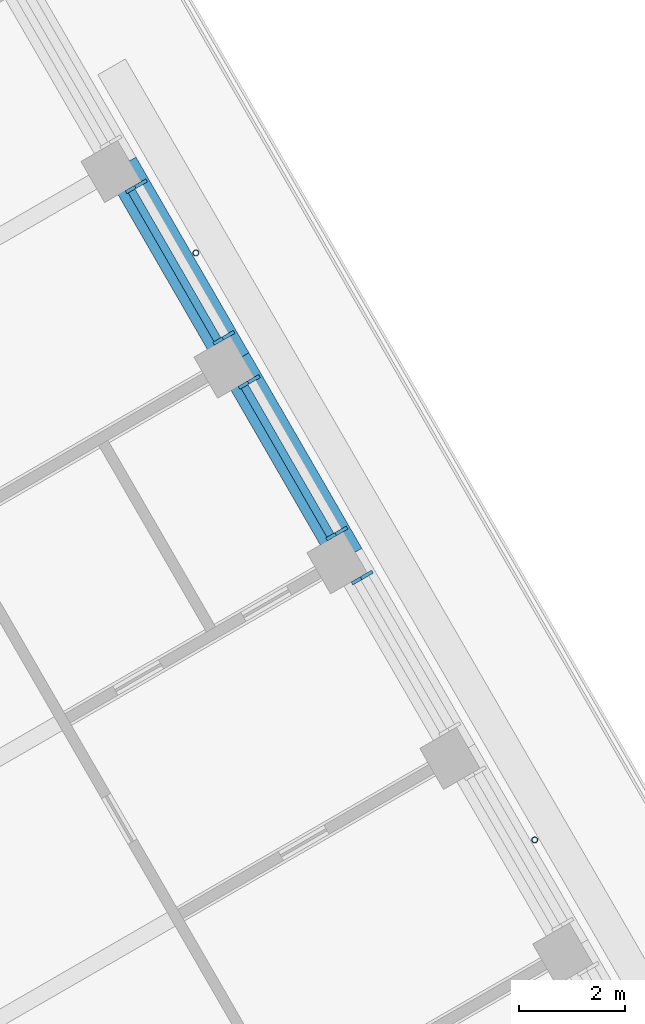
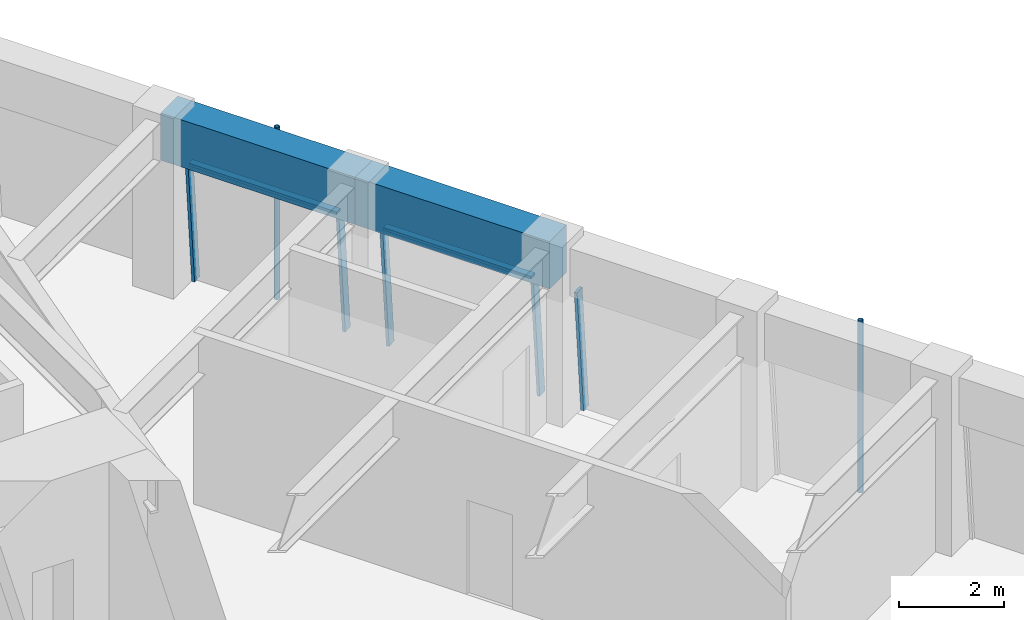
# One storey, part 10 of 19: 9 members, 2 beams, 3 elements without a shape of their own.
"""IFC4 building model written with IfcOpenShell, lengths in metres."""

from ifc_helpers import new_model, si_unit, direction, frame, origin, origin_2d, place, context, subcontext, project, spatial, rectangle, hollow_circle, extrude, material, material_profile, profile_set, type_object, element, aggregate, save


model = new_model("IFC4")

# Units and contexts
model_context = context("Model", 3, precision=1e-05, world=origin(), true_north=direction((0.0, 1.0)))
body_context = subcontext(model_context, "Body", "Model", "MODEL_VIEW")
ifc_project = project(units=[si_unit("LENGTHUNIT", "METRE"), si_unit("AREAUNIT", "SQUARE_METRE"), si_unit("VOLUMEUNIT", "CUBIC_METRE"), si_unit("PLANEANGLEUNIT", "RADIAN"), si_unit("MASSUNIT", "GRAM", prefix="KILO")], contexts=[model_context])

# Site, building, storey
site_placement = place(None, origin())
site = spatial("IfcSite", under=ifc_project, at=site_placement, CompositionType="ELEMENT")
building_placement = place(site_placement, origin())
building = spatial("IfcBuilding", under=site, at=building_placement, Name="Tarfa Lantern Tower", CompositionType="ELEMENT")
storey_placement = place(building_placement, frame((0.0, 0.0, 370.300048828125)))
storey = spatial("IfcBuildingStorey", under=building, at=storey_placement, Name="L84", CompositionType="ELEMENT", Elevation=370.300048828125)

# Curtain wall, member
ifc_material_1 = material(Name="Aluminium framed curtain wall", Category="aluminium")
curtain_wall_type = type_object("IfcCurtainWallType", Name="CW4 CANTED GLAZING EXECUTIVE ZONE 2900", PredefinedType="USERDEFINED", material=ifc_material_1)
curtain_wall_1_placement = place(storey_placement, origin())
curtain_wall_1 = element("IfcCurtainWall", 1, at=curtain_wall_1_placement, inside=storey, type_object=curtain_wall_type, Name="CW4 NE L84", ObjectType="CURTAIN WALL", PredefinedType="USERDEFINED")
ifc_material_2 = material(Name="Aluminium mullion", Category="aluminium")
ifc_material_profile_1 = material_profile(ifc_material_2, rectangle(XDim=0.06494140625, YDim=0.199951171875, at=origin_2d()), Name="AL MULLION 65x200")
ifc_profile_set_1 = profile_set([ifc_material_profile_1], Name="Aluminium mullion")
member_type_1 = type_object("IfcMemberType", Name="CWM1 MULLION 65x200", PredefinedType="MULLION", material=ifc_profile_set_1)
member_1_placement = place(storey_placement, frame((23.32080078125, 12.9072265625, 0.0), z_axis=(-0.074399820079, -0.042945555672, 0.996303340364), x_axis=(0.499919672301, -0.866071776036, 0.0)))
member_1 = element("IfcMember", 2, at=member_1_placement, type_object=member_type_1, Name="CW4 mullion 2", PredefinedType="MULLION", context=body_context, shape_type="SweptSolid", body=[
    extrude(rectangle(XDim=0.06494140625, YDim=0.199951171875, at=origin_2d()), origin(), (0.0, 0.0, 1.0), 2.91064453125),
])
aggregate(curtain_wall_1, [member_1])

# Curtain wall, members
curtain_wall_2_placement = place(storey_placement, origin())
curtain_wall_2 = element("IfcCurtainWall", 3, at=curtain_wall_2_placement, inside=storey, type_object=curtain_wall_type, Name="CW4 NE L84", ObjectType="CURTAIN WALL", PredefinedType="USERDEFINED")
member_2_placement = place(storey_placement, frame((22.83837890625, 13.742919921875, 0.0), z_axis=(-0.074399820079, -0.042945555672, 0.996303340364), x_axis=(0.499919672301, -0.866071776036, 0.0)))
member_2 = element("IfcMember", 4, at=member_2_placement, type_object=member_type_1, Name="CW4 mullion 1", PredefinedType="MULLION", context=body_context, shape_type="SweptSolid", body=[
    extrude(rectangle(XDim=0.06494140625, YDim=0.199951171875, at=origin_2d()), origin(), (0.0, 0.0, 1.0), 2.91064453125),
])
member_3_placement = place(storey_placement, frame((21.179931640625, 16.615478515625, 0.0), z_axis=(-0.074399820079, -0.042945555672, 0.996303340364), x_axis=(0.499919672301, -0.866071776036, 0.0)))
member_3 = element("IfcMember", 5, at=member_3_placement, type_object=member_type_1, Name="CW4 mullion 2", PredefinedType="MULLION", context=body_context, shape_type="SweptSolid", body=[
    extrude(rectangle(XDim=0.06494140625, YDim=0.199951171875, at=origin_2d()), origin(), (0.0, 0.0, 1.0), 2.91064453125),
])

curtain_wall_3_placement = place(storey_placement, origin())
curtain_wall_3 = element("IfcCurtainWall", 6, at=curtain_wall_3_placement, inside=storey, type_object=curtain_wall_type, Name="CW4 NE L84", ObjectType="CURTAIN WALL", PredefinedType="USERDEFINED")
member_4_placement = place(storey_placement, frame((20.697265625, 17.451171875, 0.0), z_axis=(-0.074399820079, -0.042945555672, 0.996303340364), x_axis=(0.499919672301, -0.866071776036, 0.0)))
member_4 = element("IfcMember", 7, at=member_4_placement, type_object=member_type_1, Name="CW4 mullion 1", PredefinedType="MULLION", context=body_context, shape_type="SweptSolid", body=[
    extrude(rectangle(XDim=0.06494140625, YDim=0.199951171875, at=origin_2d()), origin(), (0.0, 0.0, 1.0), 2.91064453125),
])
member_5_placement = place(storey_placement, frame((19.038818359375, 20.32373046875, 0.0), z_axis=(-0.074399820079, -0.042945555672, 0.996303340364), x_axis=(0.499919672301, -0.866071776036, 0.0)))
member_5 = element("IfcMember", 8, at=member_5_placement, type_object=member_type_1, Name="CW4 mullion 2", PredefinedType="MULLION", context=body_context, shape_type="SweptSolid", body=[
    extrude(rectangle(XDim=0.06494140625, YDim=0.199951171875, at=origin_2d()), origin(), (0.0, 0.0, 1.0), 2.91064453125),
])

# Member
ifc_material_3 = material(Name="Aluminium transom", Category="aluminium")
ifc_material_profile_2 = material_profile(ifc_material_3, rectangle(XDim=0.14990234375, YDim=0.06494140625, at=origin_2d()), Name="AL TRANSOM 150x65")
ifc_profile_set_2 = profile_set([ifc_material_profile_2], Name="Aluminium transom")
member_type_2 = type_object("IfcMemberType", Name="CWT1 TRANSOM 150x65", PredefinedType="USERDEFINED", material=ifc_profile_set_2)
member_6_placement = place(storey_placement, frame((22.60791015625, 13.6474609375, 2.867431640625), z_axis=(-0.500014901547, 0.866016800201, 0.0), x_axis=(-0.866016800201, -0.500014901547, 0.0)))
member_6 = element("IfcMember", 9, at=member_6_placement, type_object=member_type_2, Name="CW4 transom 1.2", ObjectType="TRANSOM", PredefinedType="USERDEFINED", context=body_context, shape_type="SweptSolid", body=[
    extrude(rectangle(XDim=0.14990234375, YDim=0.06494140625, at=origin_2d()), origin(), (0.0, 0.0, 1.0), 3.251953125),
])

aggregate(curtain_wall_2, [member_2, member_3, member_6])

member_7_placement = place(storey_placement, frame((20.467041015625, 17.355712890625, 2.867431640625), z_axis=(-0.499982393232, 0.866035568818, 0.0), x_axis=(-0.866035568818, -0.499982393232, 0.0)))
member_7 = element("IfcMember", 10, at=member_7_placement, type_object=member_type_2, Name="CW4 transom 1.2", ObjectType="TRANSOM", PredefinedType="USERDEFINED", context=body_context, shape_type="SweptSolid", body=[
    extrude(rectangle(XDim=0.14990234375, YDim=0.06494140625, at=origin_2d()), origin(), (0.0, 0.0, 1.0), 3.251953125),
])

aggregate(curtain_wall_3, [member_4, member_5, member_7])

# Beams
ifc_material_4 = material(Name="Concrete C80/95", Category="concrete")
ifc_material_profile_3 = material_profile(ifc_material_4, rectangle(XDim=0.64990234375, YDim=1.10009765625, at=origin_2d()), Name="RC 650x1100")
ifc_profile_set_3 = profile_set([ifc_material_profile_3], Name="Concrete C80/95")
beam_type = type_object("IfcBeamType", Name="EB4 RC 650x1100", PredefinedType="SPANDREL", material=ifc_profile_set_3)
for number, where, z_axis, x_axis, name in (
    (11, (22.923583984375, 13.235107421875, 3.449951171875), (-0.499984039138, 0.866034618596, 0.0), (-0.866034618596, -0.499984039138, 0.0), "Edge beam NE3"),
    (12, (20.78271484375, 16.943359375, 3.449951171875), (-0.500026801138, 0.866009929587, 0.0), (-0.866009929587, -0.500026801138, 0.0), "Edge beam NE4"),
):
    element("IfcBeam", number, at=place(storey_placement, frame(where, z_axis=z_axis, x_axis=x_axis)), inside=storey, type_object=beam_type, Name=name, PredefinedType="SPANDREL", context=body_context, shape_type="SweptSolid", body=[
        extrude(rectangle(XDim=0.64990234375, YDim=1.10009765625, at=origin_2d()), origin(), (0.0, 0.0, 1.0), 4.281982421875),
    ])

# Members
ifc_material_5 = material(Name="Steel S355", Category="steel")
ifc_material_profile_4 = material_profile(ifc_material_5, hollow_circle(Radius=0.05712890625, WallThickness=0.00634765625, at=origin_2d()), Name="CHS114.3x6.3")
ifc_profile_set_4 = profile_set([ifc_material_profile_4], Name="Steel S355")
member_type_3 = type_object("IfcMemberType", Name="TR1 GREEN WALL TRELLIS CHS114.3x6.3", PredefinedType="USERDEFINED", material=ifc_profile_set_4)
for number, where, z_axis, x_axis, name in (
    (13, (26.481689453125, 7.87255859375, 0.0), (0.0, 0.0, 1.0), (1.0, 0.0, 0.0), "Trellis post NE 1"),
    (14, (20.05859375, 18.99755859375, 0.0), (0.0, 0.0, 1.0), (1.0, 0.0, 0.0), "Trellis post NE 2"),
):
    element("IfcMember", number, at=place(storey_placement, frame(where, z_axis=z_axis, x_axis=x_axis)), inside=storey, type_object=member_type_3, Name=name, ObjectType="TRELLIS", PredefinedType="USERDEFINED", context=body_context, shape_type="SweptSolid", body=[
        extrude(hollow_circle(Radius=0.05712890625, WallThickness=0.00634765625, at=origin_2d()), origin(), (0.0, 0.0, 1.0), 4.0),
    ])

save(model, "model.ifc")
